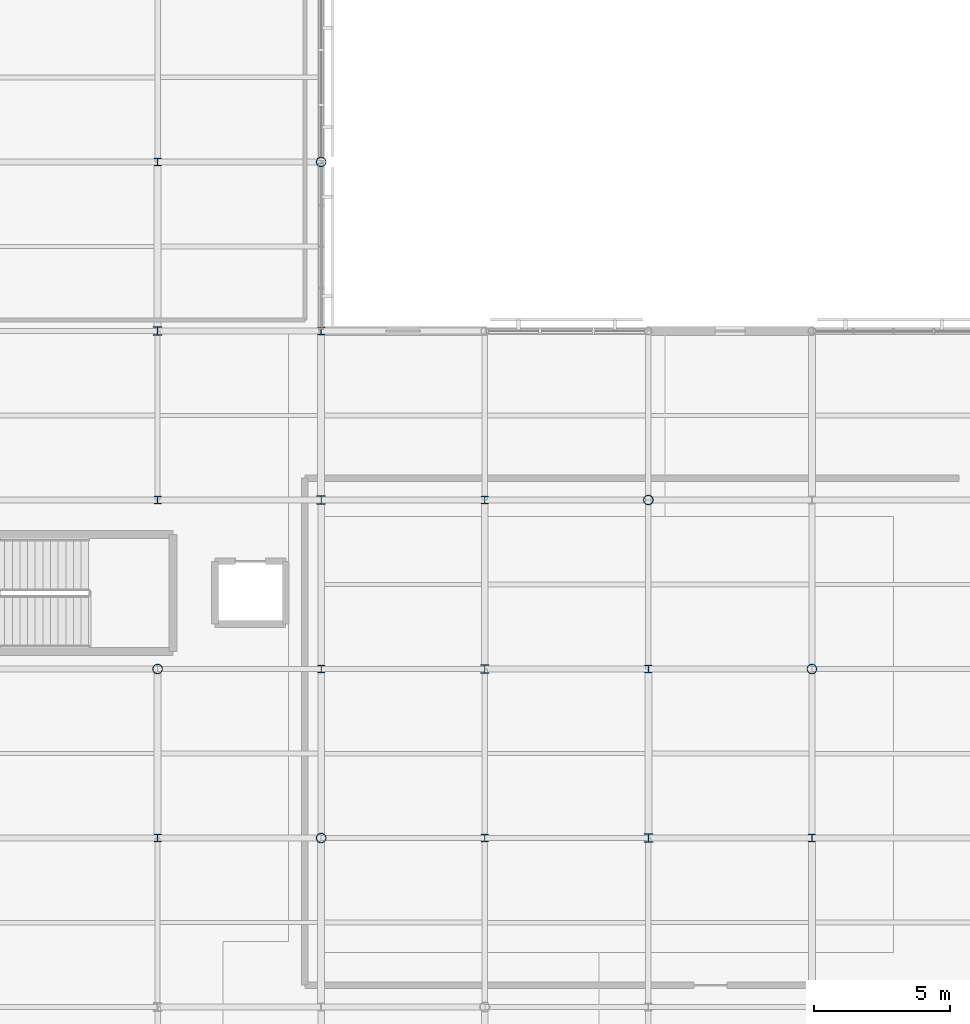
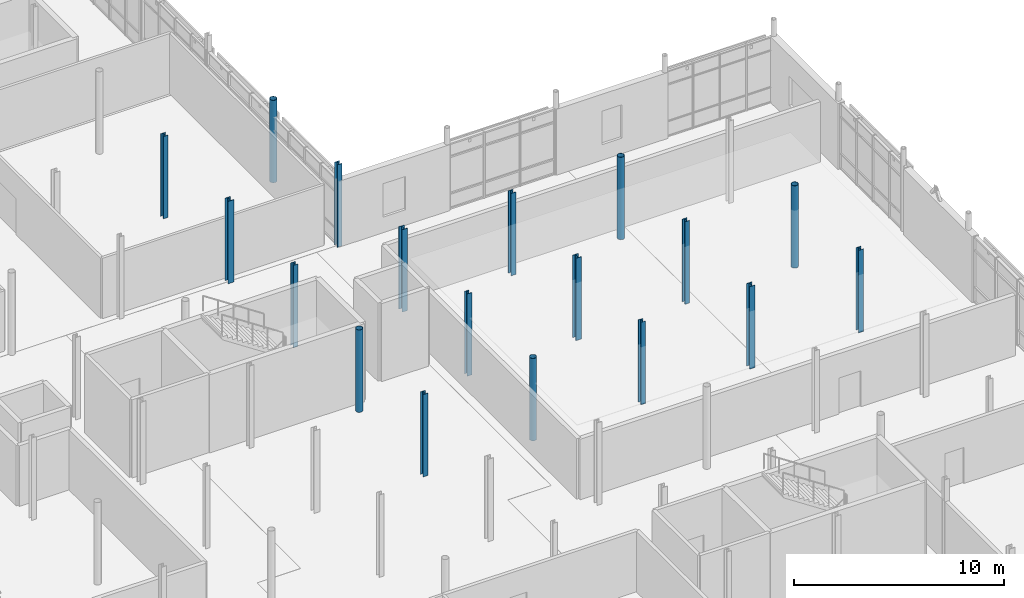
# One storey, part 16 of 84: 18 columns.
"""IFC4 building model written with IfcOpenShell, lengths in metres."""

from ifc_helpers import new_model, si_unit, direction, frame, origin, origin_2d, place, context, subcontext, project, spatial, hollow_circle, i_section, extrude, material, material_profile, profile_set, type_object, element, save


model = new_model("IFC4")

# Units and contexts
model_context = context("Model", 3, precision=1e-05, world=origin(), true_north=direction((0.0, 1.0)))
body_context = subcontext(model_context, "Body", "Model", "MODEL_VIEW")
ifc_project = project(units=[si_unit("LENGTHUNIT", "METRE"), si_unit("AREAUNIT", "SQUARE_METRE"), si_unit("VOLUMEUNIT", "CUBIC_METRE"), si_unit("PLANEANGLEUNIT", "RADIAN"), si_unit("MASSUNIT", "GRAM", prefix="KILO")], contexts=[model_context])

# Site, building, storey
site_placement = place(None, origin())
site = spatial("IfcSite", under=ifc_project, at=site_placement, CompositionType="ELEMENT")
building_placement = place(site_placement, origin())
building = spatial("IfcBuilding", under=site, at=building_placement, Name="Mirzam Square Science Centre", CompositionType="ELEMENT")
storey_placement = place(building_placement, frame((0.0, 0.0, 10.800048828125)))
storey = spatial("IfcBuildingStorey", under=building, at=storey_placement, Name="L02", CompositionType="ELEMENT", Elevation=10.800048828125)

# Columns
ifc_material = material(Name="Steel S355", Category="steel")
ifc_material_profile_1 = material_profile(ifc_material, hollow_circle(Radius=0.177734375, WallThickness=0.012451171875, at=origin_2d()), Name="355.6x12.5CHS")
ifc_profile_set_1 = profile_set([ifc_material_profile_1], Name="Steel S355")
column_type_1 = type_object("IfcColumnType", Name="COL-CHS355", PredefinedType="COLUMN", material=ifc_profile_set_1)
for number, where, z_axis, x_axis, name in (
    (1, (132.0, 74.39990234375, 0.0), (0.0, 0.0, 1.0), (1.0, 0.0, 0.0), "L02 column G23-13"),
    (2, (138.0, 68.199951171875, 0.0), (0.0, 0.0, 1.0), (1.0, 0.0, 0.0), "L02 column G24-12"),
    (3, (138.0, 93.0, 0.0), (0.0, 0.0, 1.0), (1.0, 0.0, 0.0), "L02 column G24-16"),
    (4, (150.0, 80.60009765625, 0.0), (0.0, 0.0, 1.0), (1.0, 0.0, 0.0), "L02 column G26-14"),
    (5, (156.0, 74.39990234375, 0.0), (0.0, 0.0, 1.0), (1.0, 0.0, 0.0), "L02 column G27-13"),
):
    element("IfcColumn", number, at=place(storey_placement, frame(where, z_axis=z_axis, x_axis=x_axis)), inside=storey, type_object=column_type_1, Name=name, PredefinedType="COLUMN", context=body_context, shape_type="SweptSolid", body=[
        extrude(hollow_circle(Radius=0.177734375, WallThickness=0.012451171875, at=origin_2d()), origin(), (0.0, 0.0, 1.0), 4.800048828125),
    ])
ifc_material_profile_2 = material_profile(ifc_material, i_section(OverallWidth=0.25634765625, OverallDepth=0.26025390625, WebThickness=0.01025390625, FlangeThickness=0.017333984375, FilletRadius=0.0126953125, at=origin_2d()), Name="254x254x89UC")
ifc_profile_set_2 = profile_set([ifc_material_profile_2], Name="Steel S355")
column_type_2 = type_object("IfcColumnType", Name="COL-UC254A", PredefinedType="COLUMN", material=ifc_profile_set_2)
for number, where, z_axis, x_axis, name in (
    (6, (132.0, 80.60009765625, 0.0), (0.0, 0.0, 1.0), (1.0, 0.0, 0.0), "L02 column G23-14"),
    (7, (138.0, 74.39990234375, 0.0), (0.0, 0.0, 1.0), (1.0, 0.0, 0.0), "L02 column G24-13"),
    (8, (144.0, 68.199951171875, 0.0), (0.0, 0.0, 1.0), (1.0, 0.0, 0.0), "L02 column G25-12"),
):
    element("IfcColumn", number, at=place(storey_placement, frame(where, z_axis=z_axis, x_axis=x_axis)), inside=storey, type_object=column_type_2, Name=name, PredefinedType="COLUMN", context=body_context, shape_type="SweptSolid", body=[
        extrude(i_section(OverallWidth=0.25634765625, OverallDepth=0.26025390625, WebThickness=0.01025390625, FlangeThickness=0.017333984375, FilletRadius=0.0126953125, at=origin_2d()), origin(), (0.0, 0.0, 1.0), 4.800048828125),
    ])
ifc_material_profile_3 = material_profile(ifc_material, i_section(OverallWidth=0.26123046875, OverallDepth=0.2763671875, WebThickness=0.015380859375, FlangeThickness=0.025390625, FilletRadius=0.0126953125, at=origin_2d()), Name="254x254x132UC")
ifc_profile_set_3 = profile_set([ifc_material_profile_3], Name="Steel S355")
column_type_3 = type_object("IfcColumnType", Name="COL-UC254B", PredefinedType="COLUMN", material=ifc_profile_set_3)
for number, where, z_axis, x_axis, name in (
    (9, (132.0, 68.199951171875, 0.0), (0.0, 0.0, 1.0), (1.0, 0.0, 0.0), "L02 column G23-12"),
    (10, (132.0, 93.0, 0.0), (0.0, 0.0, 1.0), (1.0, 0.0, 0.0), "L02 column G23-16"),
    (11, (138.0, 86.800048828125, 0.0), (0.0, 0.0, 1.0), (1.0, 0.0, 0.0), "L02 column G24-15"),
    (12, (144.0, 80.60009765625, 0.0), (0.0, 0.0, 1.0), (1.0, 0.0, 0.0), "L02 column G25-14"),
    (13, (150.0, 74.39990234375, 0.0), (0.0, 0.0, 1.0), (1.0, 0.0, 0.0), "L02 column G26-13"),
    (14, (156.0, 68.199951171875, 0.0), (0.0, 0.0, 1.0), (1.0, 0.0, 0.0), "L02 column G27-12"),
):
    element("IfcColumn", number, at=place(storey_placement, frame(where, z_axis=z_axis, x_axis=x_axis)), inside=storey, type_object=column_type_3, Name=name, PredefinedType="COLUMN", context=body_context, shape_type="SweptSolid", body=[
        extrude(i_section(OverallWidth=0.26123046875, OverallDepth=0.2763671875, WebThickness=0.015380859375, FlangeThickness=0.025390625, FilletRadius=0.0126953125, at=origin_2d()), origin(), (0.0, 0.0, 1.0), 4.800048828125),
    ])
ifc_material_profile_4 = material_profile(ifc_material, i_section(OverallWidth=0.30908203125, OverallDepth=0.320556640625, WebThickness=0.013916015625, FlangeThickness=0.021728515625, FilletRadius=0.01513671875, at=origin_2d()), Name="305x305x137UC")
ifc_profile_set_4 = profile_set([ifc_material_profile_4], Name="Steel S355")
column_type_4 = type_object("IfcColumnType", Name="COL-UC305A", PredefinedType="COLUMN", material=ifc_profile_set_4)
for number, where, z_axis, x_axis, name in (
    (15, (132.0, 86.800048828125, 0.0), (0.0, 0.0, 1.0), (1.0, 0.0, 0.0), "L02 column G23-15"),
    (16, (138.0, 80.60009765625, 0.0), (0.0, 0.0, 1.0), (1.0, 0.0, 0.0), "L02 column G24-14"),
    (17, (144.0, 74.39990234375, 0.0), (0.0, 0.0, 1.0), (1.0, 0.0, 0.0), "L02 column G25-13"),
    (18, (150.0, 68.199951171875, 0.0), (0.0, 0.0, 1.0), (1.0, 0.0, 0.0), "L02 column G26-12"),
):
    element("IfcColumn", number, at=place(storey_placement, frame(where, z_axis=z_axis, x_axis=x_axis)), inside=storey, type_object=column_type_4, Name=name, PredefinedType="COLUMN", context=body_context, shape_type="SweptSolid", body=[
        extrude(i_section(OverallWidth=0.30908203125, OverallDepth=0.320556640625, WebThickness=0.013916015625, FlangeThickness=0.021728515625, FilletRadius=0.01513671875, at=origin_2d()), origin(), (0.0, 0.0, 1.0), 4.800048828125),
    ])

save(model, "model.ifc")
